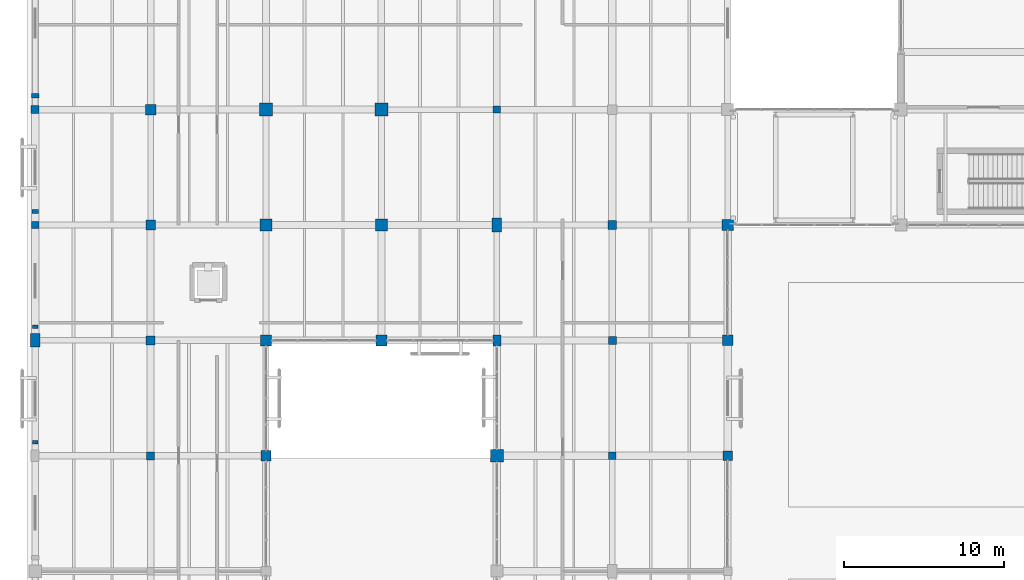
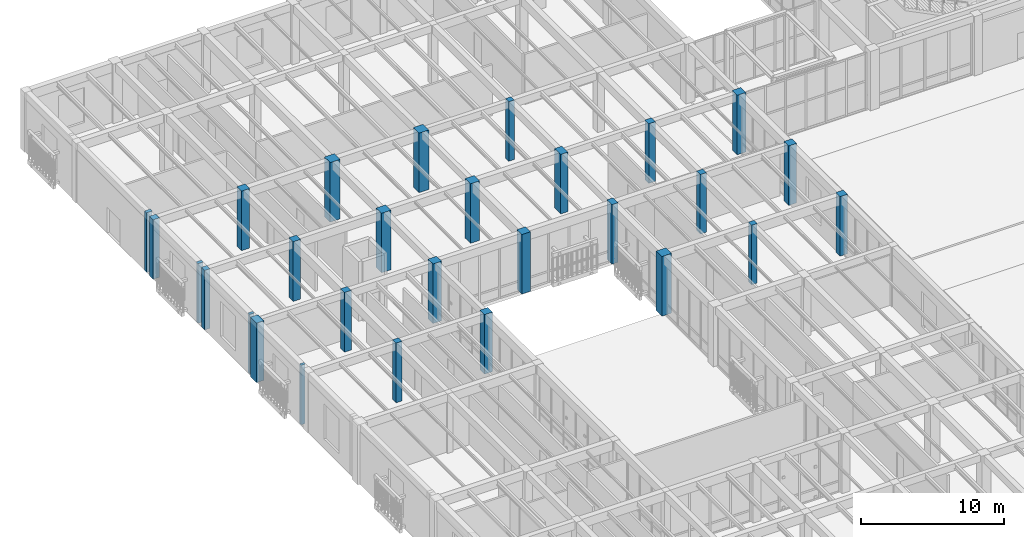
# One storey, part 7 of 169: 28 columns.
"""IFC4 building model written with IfcOpenShell, lengths in metres."""

from ifc_helpers import new_model, si_unit, direction, frame, origin, origin_2d, place, context, subcontext, project, spatial, rectangle, extrude, material, material_profile, profile_set, type_object, element, save


model = new_model("IFC4")

# Units and contexts
model_context = context("Model", 3, precision=1e-05, world=origin(), true_north=direction((0.0, 1.0)))
body_context = subcontext(model_context, "Body", "Model", "MODEL_VIEW")
ifc_project = project(units=[si_unit("LENGTHUNIT", "METRE"), si_unit("AREAUNIT", "SQUARE_METRE"), si_unit("VOLUMEUNIT", "CUBIC_METRE"), si_unit("PLANEANGLEUNIT", "RADIAN"), si_unit("MASSUNIT", "GRAM", prefix="KILO")], contexts=[model_context])

# Site, building, storey
site_placement = place(None, origin())
site = spatial("IfcSite", under=ifc_project, at=site_placement, CompositionType="ELEMENT")
building_placement = place(site_placement, origin())
building = spatial("IfcBuilding", under=site, at=building_placement, Name="Mazaris Harbour Polytechnic", CompositionType="ELEMENT")
storey_placement = place(building_placement, origin())
storey = spatial("IfcBuildingStorey", under=building, at=storey_placement, Name="L00", CompositionType="ELEMENT", Elevation=0.0)

# Columns
ifc_material_1 = material(Name="Concrete C35/45", Category="concrete")
ifc_material_profile_1 = material_profile(ifc_material_1, rectangle(XDim=0.320068359375, YDim=0.219970703125, at=origin_2d()), Name="RECT320x220")
ifc_profile_set_1 = profile_set([ifc_material_profile_1], Name="Concrete C35/45")
column_type_1 = type_object("IfcColumnType", Name="Limestone Pilaster 320x220", PredefinedType="PILASTER", material=ifc_profile_set_1)
column_1_placement = place(storey_placement, frame((0.0, 62.050048828125, 0.0), z_axis=(0.0, 0.0, 1.0), x_axis=(1.0, 0.0, 0.0)))
element("IfcColumn", 1, at=column_1_placement, inside=storey, type_object=column_type_1, Name="V4 L00 Giant Order Pilaster 20", PredefinedType="PILASTER", context=body_context, shape_type="SweptSolid", body=[
    extrude(rectangle(XDim=0.320068359375, YDim=0.219970703125, at=origin_2d()), origin(), (0.0, 0.0, 1.0), 5.10009765625),
])
ifc_material_2 = material(Name="Concrete C35/45", Category="concrete")
ifc_material_profile_2 = material_profile(ifc_material_2, rectangle(XDim=0.360107421875, YDim=0.239990234375, at=origin_2d()), Name="RECT360x240")
ifc_profile_set_2 = profile_set([ifc_material_profile_2], Name="Concrete C35/45")
column_type_2 = type_object("IfcColumnType", Name="Limestone Pilaster 360x240", PredefinedType="PILASTER", material=ifc_profile_set_2)
column_2_placement = place(storey_placement, frame((0.0, 69.25, 0.0), z_axis=(0.0, 0.0, 1.0), x_axis=(1.0, 0.0, 0.0)))
element("IfcColumn", 2, at=column_2_placement, inside=storey, type_object=column_type_2, Name="V4 L00 Giant Order Pilaster 21", PredefinedType="PILASTER", context=body_context, shape_type="SweptSolid", body=[
    extrude(rectangle(XDim=0.360107421875, YDim=0.239990234375, at=origin_2d()), origin(), (0.0, 0.0, 1.0), 5.10009765625),
])
ifc_material_3 = material(Name="Concrete C35/45", Category="concrete")
ifc_material_profile_3 = material_profile(ifc_material_3, rectangle(XDim=0.39990234375, YDim=0.260009765625, at=origin_2d()), Name="RECT400x260")
ifc_profile_set_3 = profile_set([ifc_material_profile_3], Name="Concrete C35/45")
column_type_3 = type_object("IfcColumnType", Name="Limestone Pilaster 400x260", PredefinedType="PILASTER", material=ifc_profile_set_3)
column_3_placement = place(storey_placement, frame((0.0, 76.449951171875, 0.0), z_axis=(0.0, 0.0, 1.0), x_axis=(1.0, 0.0, 0.0)))
element("IfcColumn", 3, at=column_3_placement, inside=storey, type_object=column_type_3, Name="V4 L00 Giant Order Pilaster 22", PredefinedType="PILASTER", context=body_context, shape_type="SweptSolid", body=[
    extrude(rectangle(XDim=0.39990234375, YDim=0.260009765625, at=origin_2d()), origin(), (0.0, 0.0, 1.0), 5.10009765625),
])
ifc_material_4 = material(Name="Concrete C35/45", Category="concrete")
ifc_material_profile_4 = material_profile(ifc_material_4, rectangle(XDim=0.43994140625, YDim=0.280029296875, at=origin_2d()), Name="RECT440x280")
ifc_profile_set_4 = profile_set([ifc_material_profile_4], Name="Concrete C35/45")
column_type_4 = type_object("IfcColumnType", Name="Limestone Pilaster 440x280", PredefinedType="PILASTER", material=ifc_profile_set_4)
column_4_placement = place(storey_placement, frame((0.0, 83.64990234375, 0.0), z_axis=(0.0, 0.0, 1.0), x_axis=(1.0, 0.0, 0.0)))
element("IfcColumn", 4, at=column_4_placement, inside=storey, type_object=column_type_4, Name="V4 L00 Giant Order Pilaster 23", PredefinedType="PILASTER", context=body_context, shape_type="SweptSolid", body=[
    extrude(rectangle(XDim=0.43994140625, YDim=0.280029296875, at=origin_2d()), origin(), (0.0, 0.0, 1.0), 5.10009765625),
])
ifc_material_5 = material(Name="Concrete C40/50", Category="concrete")
ifc_material_profile_5 = material_profile(ifc_material_5, rectangle(XDim=0.449951171875, YDim=0.449951171875, at=origin_2d()), Name="RECT450x450")
ifc_profile_set_5 = profile_set([ifc_material_profile_5], Name="Concrete C40/50")
column_type_5 = type_object("IfcColumnType", Name="RC Column 450x450", PredefinedType="COLUMN", material=ifc_profile_set_5)
for number, where, z_axis, x_axis, name in (
    (5, (28.800048828125, 82.800048828125, 0.0), (0.0, 0.0, 1.0), (1.0, 0.0, 0.0), "V4 L00 Column 699"),
    (6, (36.0, 61.199951171875, 0.0), (0.0, 0.0, 1.0), (1.0, 0.0, 0.0), "V4 L00 Column 709"),
):
    element("IfcColumn", number, at=place(storey_placement, frame(where, z_axis=z_axis, x_axis=x_axis)), inside=storey, type_object=column_type_5, Name=name, PredefinedType="COLUMN", context=body_context, shape_type="SweptSolid", body=[
        extrude(rectangle(XDim=0.449951171875, YDim=0.449951171875, at=origin_2d()), origin(), (0.0, 0.0, 1.0), 5.10009765625),
    ])
ifc_material_6 = material(Name="Concrete C40/50", Category="concrete")
ifc_material_profile_6 = material_profile(ifc_material_6, rectangle(XDim=0.449951171875, YDim=0.449951171875, at=origin_2d()), Name="RECT450x450")
ifc_profile_set_6 = profile_set([ifc_material_profile_6], Name="Concrete C40/50")
column_type_6 = type_object("IfcColumnType", Name="RC Column 450x450 Exterior", PredefinedType="COLUMN", material=ifc_profile_set_6)
column_5_placement = place(storey_placement, frame((0.0, 75.60009765625, 0.0), z_axis=(0.0, 0.0, 1.0), x_axis=(1.0, 0.0, 0.0)))
element("IfcColumn", 7, at=column_5_placement, inside=storey, type_object=column_type_6, Name="V4 L00 Column 649", PredefinedType="COLUMN", context=body_context, shape_type="SweptSolid", body=[
    extrude(rectangle(XDim=0.449951171875, YDim=0.449951171875, at=origin_2d()), origin(), (0.0, 0.0, 1.0), 5.10009765625),
])
ifc_material_7 = material(Name="Concrete C40/50", Category="concrete")
ifc_material_profile_7 = material_profile(ifc_material_7, rectangle(XDim=0.5, YDim=0.5, at=origin_2d()), Name="RECT500x500")
ifc_profile_set_7 = profile_set([ifc_material_profile_7], Name="Concrete C40/50")
column_type_7 = type_object("IfcColumnType", Name="RC Column 500x500", PredefinedType="COLUMN", material=ifc_profile_set_7)
for number, where, z_axis, x_axis, name in (
    (8, (7.199951171875, 61.199951171875, 0.0), (0.0, 0.0, 1.0), (1.0, 0.0, 0.0), "V4 L00 Column 660"),
    (9, (36.0, 68.39990234375, 0.0), (0.0, 0.0, 1.0), (1.0, 0.0, 0.0), "V4 L00 Column 710"),
):
    element("IfcColumn", number, at=place(storey_placement, frame(where, z_axis=z_axis, x_axis=x_axis)), inside=storey, type_object=column_type_7, Name=name, PredefinedType="COLUMN", context=body_context, shape_type="SweptSolid", body=[
        extrude(rectangle(XDim=0.5, YDim=0.5, at=origin_2d()), origin(), (0.0, 0.0, 1.0), 5.10009765625),
    ])
ifc_material_8 = material(Name="Concrete C40/50", Category="concrete")
ifc_material_profile_8 = material_profile(ifc_material_8, rectangle(XDim=0.5, YDim=0.5, at=origin_2d()), Name="RECT500x500")
ifc_profile_set_8 = profile_set([ifc_material_profile_8], Name="Concrete C40/50")
column_type_8 = type_object("IfcColumnType", Name="RC Column 500x500 Exterior", PredefinedType="COLUMN", material=ifc_profile_set_8)
column_6_placement = place(storey_placement, frame((0.0, 82.800048828125, 0.0), z_axis=(0.0, 0.0, 1.0), x_axis=(1.0, 0.0, 0.0)))
element("IfcColumn", 10, at=column_6_placement, inside=storey, type_object=column_type_8, Name="V4 L00 Column 650", PredefinedType="COLUMN", context=body_context, shape_type="SweptSolid", body=[
    extrude(rectangle(XDim=0.5, YDim=0.5, at=origin_2d()), origin(), (0.0, 0.0, 1.0), 5.10009765625),
])
ifc_material_9 = material(Name="Concrete C40/50", Category="concrete")
ifc_material_profile_9 = material_profile(ifc_material_9, rectangle(XDim=0.5, YDim=0.699951171875, at=origin_2d()), Name="RECT500x700")
ifc_profile_set_9 = profile_set([ifc_material_profile_9], Name="Concrete C40/50")
column_type_9 = type_object("IfcColumnType", Name="RC Column 500x700", PredefinedType="COLUMN", material=ifc_profile_set_9)
column_7_placement = place(storey_placement, frame((28.800048828125, 68.39990234375, 0.0), z_axis=(0.0, 0.0, 1.0), x_axis=(1.0, 0.0, 0.0)))
element("IfcColumn", 11, at=column_7_placement, inside=storey, type_object=column_type_9, Name="V4 L00 Column 697", PredefinedType="COLUMN", context=body_context, shape_type="SweptSolid", body=[
    extrude(rectangle(XDim=0.5, YDim=0.699951171875, at=origin_2d()), origin(), (0.0, 0.0, 1.0), 5.10009765625),
])
ifc_material_10 = material(Name="Concrete C40/50", Category="concrete")
ifc_material_profile_10 = material_profile(ifc_material_10, rectangle(XDim=0.550048828125, YDim=0.550048828125, at=origin_2d()), Name="RECT550x550")
ifc_profile_set_10 = profile_set([ifc_material_profile_10], Name="Concrete C40/50")
column_type_10 = type_object("IfcColumnType", Name="RC Column 550x550", PredefinedType="COLUMN", material=ifc_profile_set_10)
for number, where, z_axis, x_axis, name in (
    (12, (7.199951171875, 68.39990234375, 0.0), (0.0, 0.0, 1.0), (1.0, 0.0, 0.0), "V4 L00 Column 661"),
    (13, (36.0, 75.60009765625, 0.0), (0.0, 0.0, 1.0), (1.0, 0.0, 0.0), "V4 L00 Column 711"),
):
    element("IfcColumn", number, at=place(storey_placement, frame(where, z_axis=z_axis, x_axis=x_axis)), inside=storey, type_object=column_type_10, Name=name, PredefinedType="COLUMN", context=body_context, shape_type="SweptSolid", body=[
        extrude(rectangle(XDim=0.550048828125, YDim=0.550048828125, at=origin_2d()), origin(), (0.0, 0.0, 1.0), 5.10009765625),
    ])
ifc_material_11 = material(Name="Concrete C40/50", Category="concrete")
ifc_material_profile_11 = material_profile(ifc_material_11, rectangle(XDim=0.60009765625, YDim=0.60009765625, at=origin_2d()), Name="RECT600x600")
ifc_profile_set_11 = profile_set([ifc_material_profile_11], Name="Concrete C40/50")
column_type_11 = type_object("IfcColumnType", Name="RC Column 600x600", PredefinedType="COLUMN", material=ifc_profile_set_11)
column_8_placement = place(storey_placement, frame((7.199951171875, 75.60009765625, 0.0), z_axis=(0.0, 0.0, 1.0), x_axis=(1.0, 0.0, 0.0)))
element("IfcColumn", 14, at=column_8_placement, inside=storey, type_object=column_type_11, Name="V4 L00 Column 662", PredefinedType="COLUMN", context=body_context, shape_type="SweptSolid", body=[
    extrude(rectangle(XDim=0.60009765625, YDim=0.60009765625, at=origin_2d()), origin(), (0.0, 0.0, 1.0), 5.10009765625),
])
ifc_material_12 = material(Name="Concrete C40/50", Category="concrete")
ifc_material_profile_12 = material_profile(ifc_material_12, rectangle(XDim=0.60009765625, YDim=0.60009765625, at=origin_2d()), Name="RECT600x600")
ifc_profile_set_12 = profile_set([ifc_material_profile_12], Name="Concrete C40/50")
column_type_12 = type_object("IfcColumnType", Name="RC Column 600x600 Exterior", PredefinedType="COLUMN", material=ifc_profile_set_12)
column_9_placement = place(storey_placement, frame((43.199951171875, 61.199951171875, 0.0), z_axis=(0.0, 0.0, 1.0), x_axis=(1.0, 0.0, 0.0)))
element("IfcColumn", 15, at=column_9_placement, inside=storey, type_object=column_type_12, Name="V4 L00 Column 722", PredefinedType="COLUMN", context=body_context, shape_type="SweptSolid", body=[
    extrude(rectangle(XDim=0.60009765625, YDim=0.60009765625, at=origin_2d()), origin(), (0.0, 0.0, 1.0), 5.10009765625),
])
ifc_material_13 = material(Name="Concrete C40/50", Category="concrete")
ifc_material_profile_13 = material_profile(ifc_material_13, rectangle(XDim=0.60009765625, YDim=0.85009765625, at=origin_2d()), Name="RECT600x850")
ifc_profile_set_13 = profile_set([ifc_material_profile_13], Name="Concrete C40/50")
column_type_13 = type_object("IfcColumnType", Name="RC Column 600x850", PredefinedType="COLUMN", material=ifc_profile_set_13)
column_10_placement = place(storey_placement, frame((28.800048828125, 75.60009765625, 0.0), z_axis=(0.0, 0.0, 1.0), x_axis=(1.0, 0.0, 0.0)))
element("IfcColumn", 16, at=column_10_placement, inside=storey, type_object=column_type_13, Name="V4 L00 Column 698", PredefinedType="COLUMN", context=body_context, shape_type="SweptSolid", body=[
    extrude(rectangle(XDim=0.60009765625, YDim=0.85009765625, at=origin_2d()), origin(), (0.0, 0.0, 1.0), 5.10009765625),
])
ifc_material_14 = material(Name="Concrete C40/50", Category="concrete")
ifc_material_profile_14 = material_profile(ifc_material_14, rectangle(XDim=0.60009765625, YDim=0.85009765625, at=origin_2d()), Name="RECT600x850")
ifc_profile_set_14 = profile_set([ifc_material_profile_14], Name="Concrete C40/50")
column_type_14 = type_object("IfcColumnType", Name="RC Column 600x850 Exterior", PredefinedType="COLUMN", material=ifc_profile_set_14)
column_11_placement = place(storey_placement, frame((0.0, 68.39990234375, 0.0), z_axis=(0.0, 0.0, 1.0), x_axis=(1.0, 0.0, 0.0)))
element("IfcColumn", 17, at=column_11_placement, inside=storey, type_object=column_type_14, Name="V4 L00 Column 648", PredefinedType="COLUMN", context=body_context, shape_type="SweptSolid", body=[
    extrude(rectangle(XDim=0.60009765625, YDim=0.85009765625, at=origin_2d()), origin(), (0.0, 0.0, 1.0), 5.10009765625),
])
ifc_material_15 = material(Name="Concrete C40/50", Category="concrete")
ifc_material_profile_15 = material_profile(ifc_material_15, rectangle(XDim=0.64990234375, YDim=0.64990234375, at=origin_2d()), Name="RECT650x650")
ifc_profile_set_15 = profile_set([ifc_material_profile_15], Name="Concrete C40/50")
column_type_15 = type_object("IfcColumnType", Name="RC Column 650x650", PredefinedType="COLUMN", material=ifc_profile_set_15)
for number, where, z_axis, x_axis, name in (
    (18, (7.199951171875, 82.800048828125, 0.0), (0.0, 0.0, 1.0), (1.0, 0.0, 0.0), "V4 L00 Column 663"),
    (19, (14.39990234375, 61.199951171875, 0.0), (0.0, 0.0, 1.0), (1.0, 0.0, 0.0), "V4 L00 Column 673"),
):
    element("IfcColumn", number, at=place(storey_placement, frame(where, z_axis=z_axis, x_axis=x_axis)), inside=storey, type_object=column_type_15, Name=name, PredefinedType="COLUMN", context=body_context, shape_type="SweptSolid", body=[
        extrude(rectangle(XDim=0.64990234375, YDim=0.64990234375, at=origin_2d()), origin(), (0.0, 0.0, 1.0), 5.10009765625),
    ])
ifc_material_16 = material(Name="Concrete C40/50", Category="concrete")
ifc_material_profile_16 = material_profile(ifc_material_16, rectangle(XDim=0.64990234375, YDim=0.64990234375, at=origin_2d()), Name="RECT650x650")
ifc_profile_set_16 = profile_set([ifc_material_profile_16], Name="Concrete C40/50")
column_type_16 = type_object("IfcColumnType", Name="RC Column 650x650 Exterior", PredefinedType="COLUMN", material=ifc_profile_set_16)
column_12_placement = place(storey_placement, frame((43.199951171875, 68.39990234375, 0.0), z_axis=(0.0, 0.0, 1.0), x_axis=(1.0, 0.0, 0.0)))
element("IfcColumn", 20, at=column_12_placement, inside=storey, type_object=column_type_16, Name="V4 L00 Column 723", PredefinedType="COLUMN", context=body_context, shape_type="SweptSolid", body=[
    extrude(rectangle(XDim=0.64990234375, YDim=0.64990234375, at=origin_2d()), origin(), (0.0, 0.0, 1.0), 5.10009765625),
])
ifc_material_17 = material(Name="Concrete C40/50", Category="concrete")
ifc_material_profile_17 = material_profile(ifc_material_17, rectangle(XDim=0.699951171875, YDim=0.699951171875, at=origin_2d()), Name="RECT700x700")
ifc_profile_set_17 = profile_set([ifc_material_profile_17], Name="Concrete C40/50")
column_type_17 = type_object("IfcColumnType", Name="RC Column 700x700", PredefinedType="COLUMN", material=ifc_profile_set_17)
for number, where, z_axis, x_axis, name in (
    (21, (14.39990234375, 68.39990234375, 0.0), (0.0, 0.0, 1.0), (1.0, 0.0, 0.0), "V4 L00 Column 674"),
    (22, (21.60009765625, 68.39990234375, 0.0), (0.0, 0.0, 1.0), (1.0, 0.0, 0.0), "V4 L00 Column 684"),
):
    element("IfcColumn", number, at=place(storey_placement, frame(where, z_axis=z_axis, x_axis=x_axis)), inside=storey, type_object=column_type_17, Name=name, PredefinedType="COLUMN", context=body_context, shape_type="SweptSolid", body=[
        extrude(rectangle(XDim=0.699951171875, YDim=0.699951171875, at=origin_2d()), origin(), (0.0, 0.0, 1.0), 5.10009765625),
    ])
ifc_material_18 = material(Name="Concrete C40/50", Category="concrete")
ifc_material_profile_18 = material_profile(ifc_material_18, rectangle(XDim=0.699951171875, YDim=0.699951171875, at=origin_2d()), Name="RECT700x700")
ifc_profile_set_18 = profile_set([ifc_material_profile_18], Name="Concrete C40/50")
column_type_18 = type_object("IfcColumnType", Name="RC Column 700x700 Exterior", PredefinedType="COLUMN", material=ifc_profile_set_18)
column_13_placement = place(storey_placement, frame((43.199951171875, 75.60009765625, 0.0), z_axis=(0.0, 0.0, 1.0), x_axis=(1.0, 0.0, 0.0)))
element("IfcColumn", 23, at=column_13_placement, inside=storey, type_object=column_type_18, Name="V4 L00 Column 724", PredefinedType="COLUMN", context=body_context, shape_type="SweptSolid", body=[
    extrude(rectangle(XDim=0.699951171875, YDim=0.699951171875, at=origin_2d()), origin(), (0.0, 0.0, 1.0), 5.10009765625),
])
ifc_material_19 = material(Name="Concrete C40/50", Category="concrete")
ifc_material_profile_19 = material_profile(ifc_material_19, rectangle(XDim=0.75, YDim=0.75, at=origin_2d()), Name="RECT750x750")
ifc_profile_set_19 = profile_set([ifc_material_profile_19], Name="Concrete C40/50")
column_type_19 = type_object("IfcColumnType", Name="RC Column 750x750", PredefinedType="COLUMN", material=ifc_profile_set_19)
for number, where, z_axis, x_axis, name in (
    (24, (14.39990234375, 75.60009765625, 0.0), (0.0, 0.0, 1.0), (1.0, 0.0, 0.0), "V4 L00 Column 675"),
    (25, (21.60009765625, 75.60009765625, 0.0), (0.0, 0.0, 1.0), (1.0, 0.0, 0.0), "V4 L00 Column 685"),
):
    element("IfcColumn", number, at=place(storey_placement, frame(where, z_axis=z_axis, x_axis=x_axis)), inside=storey, type_object=column_type_19, Name=name, PredefinedType="COLUMN", context=body_context, shape_type="SweptSolid", body=[
        extrude(rectangle(XDim=0.75, YDim=0.75, at=origin_2d()), origin(), (0.0, 0.0, 1.0), 5.10009765625),
    ])
ifc_material_20 = material(Name="Concrete C40/50", Category="concrete")
ifc_material_profile_20 = material_profile(ifc_material_20, rectangle(XDim=0.800048828125, YDim=0.800048828125, at=origin_2d()), Name="RECT800x800")
ifc_profile_set_20 = profile_set([ifc_material_profile_20], Name="Concrete C40/50")
column_type_20 = type_object("IfcColumnType", Name="RC Column 800x800", PredefinedType="COLUMN", material=ifc_profile_set_20)
for number, where, z_axis, x_axis, name in (
    (26, (14.39990234375, 82.800048828125, 0.0), (0.0, 0.0, 1.0), (1.0, 0.0, 0.0), "V4 L00 Column 676"),
    (27, (21.60009765625, 82.800048828125, 0.0), (0.0, 0.0, 1.0), (1.0, 0.0, 0.0), "V4 L00 Column 686"),
    (28, (28.800048828125, 61.199951171875, 0.0), (0.0, 0.0, 1.0), (1.0, 0.0, 0.0), "V4 L00 Column 696"),
):
    element("IfcColumn", number, at=place(storey_placement, frame(where, z_axis=z_axis, x_axis=x_axis)), inside=storey, type_object=column_type_20, Name=name, PredefinedType="COLUMN", context=body_context, shape_type="SweptSolid", body=[
        extrude(rectangle(XDim=0.800048828125, YDim=0.800048828125, at=origin_2d()), origin(), (0.0, 0.0, 1.0), 5.10009765625),
    ])

save(model, "model.ifc")
